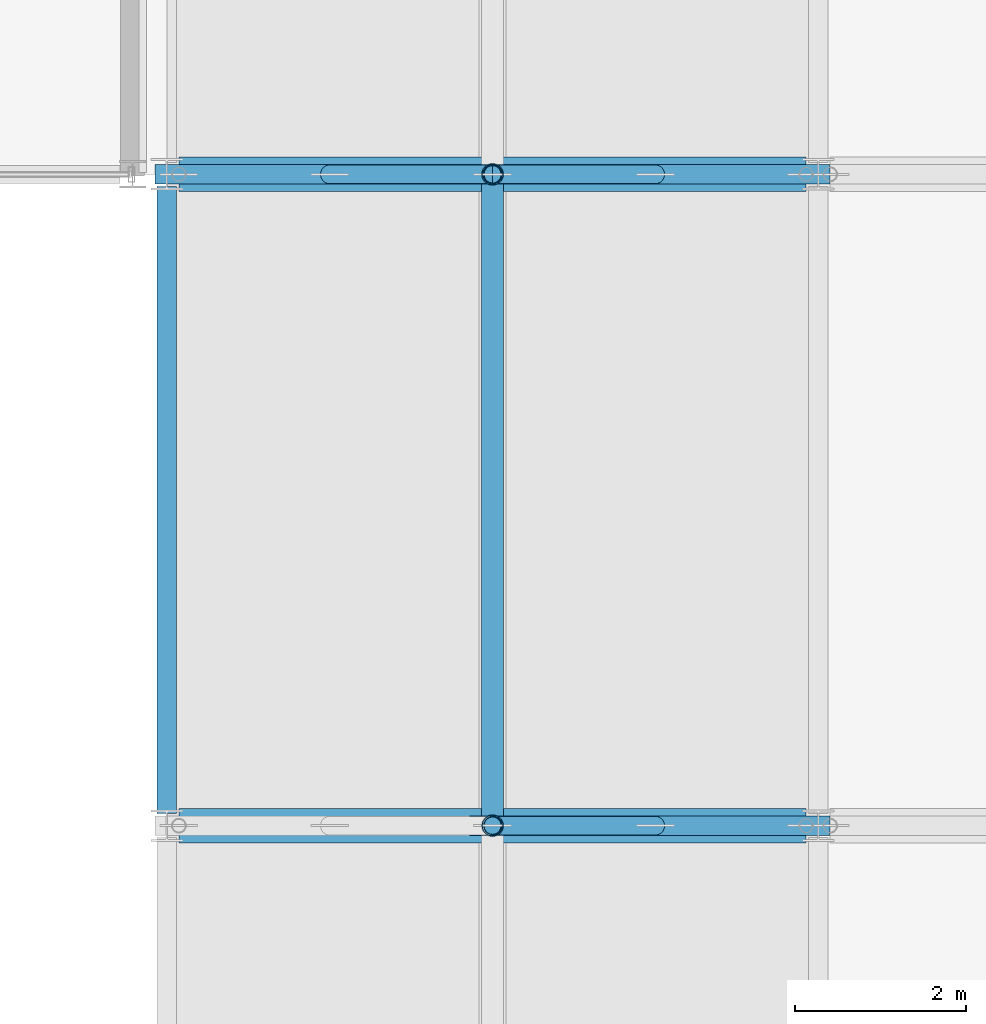
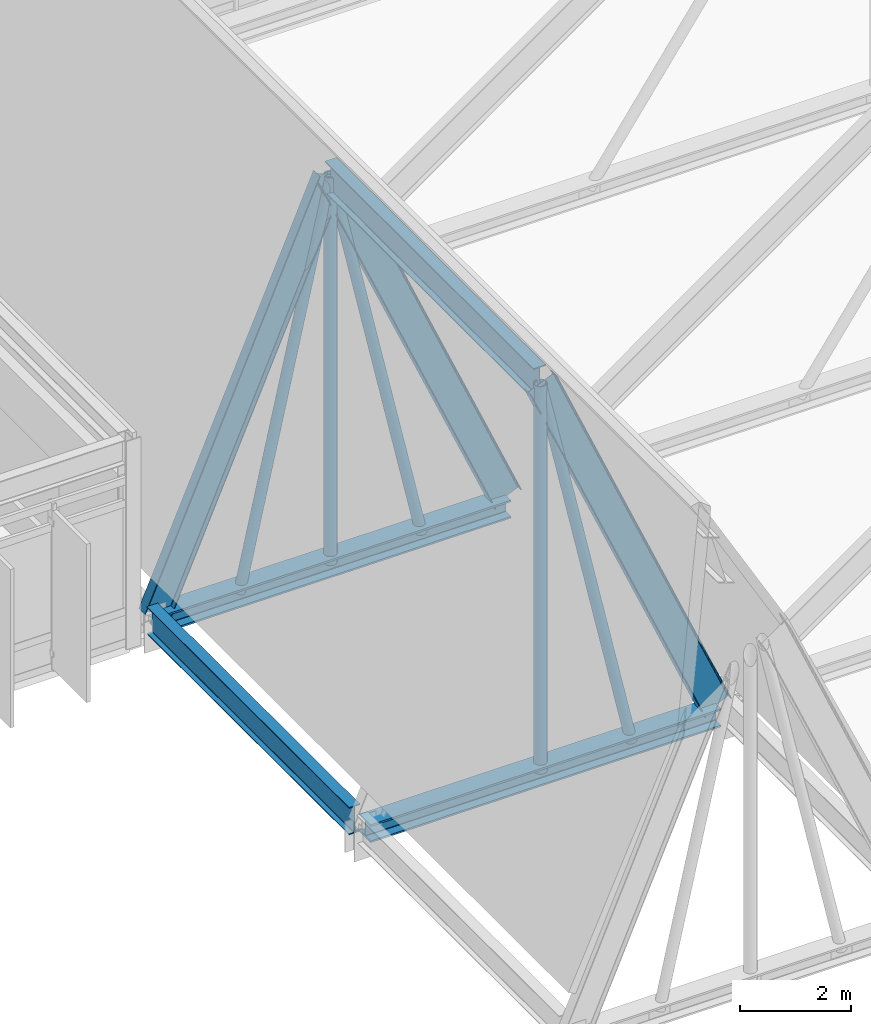
# One storey, part 45 of 100: 7 members, 5 beams.
"""IFC4 building model written with IfcOpenShell, lengths in metres."""

from ifc_helpers import new_model, si_unit, direction, frame, origin, origin_2d, place, context, subcontext, project, spatial, hollow_circle, i_section, extrude, material, material_profile, profile_set, type_object, element, save


model = new_model("IFC4")

# Units and contexts
model_context = context("Model", 3, precision=1e-05, world=origin(), true_north=direction((0.0, 1.0)))
body_context = subcontext(model_context, "Body", "Model", "MODEL_VIEW")
ifc_project = project(units=[si_unit("LENGTHUNIT", "METRE"), si_unit("AREAUNIT", "SQUARE_METRE"), si_unit("VOLUMEUNIT", "CUBIC_METRE"), si_unit("PLANEANGLEUNIT", "RADIAN"), si_unit("MASSUNIT", "GRAM", prefix="KILO")], contexts=[model_context])

# Site, building, storey
site_placement = place(None, origin())
site = spatial("IfcSite", under=ifc_project, at=site_placement, CompositionType="ELEMENT")
building_placement = place(site_placement, origin())
building = spatial("IfcBuilding", under=site, at=building_placement, Name="Zulena Civic Courthouse", CompositionType="ELEMENT")
storey_placement = place(building_placement, frame((0.0, 0.0, 20.39990234375)))
storey = spatial("IfcBuildingStorey", under=building, at=storey_placement, Name="L04", CompositionType="ELEMENT", Elevation=20.39990234375)

# Members
ifc_material_1 = material(Name="Steel ASTM A992 Grade 50", Category="steel")
ifc_material_profile_1 = material_profile(ifc_material_1, i_section(OverallWidth=0.40087890625, OverallDepth=0.39892578125, WebThickness=0.02490234375, FlangeThickness=0.03955078125, FilletRadius=0.01513671875, at=origin_2d()), Name="W14X211")
ifc_profile_set_1 = profile_set([ifc_material_profile_1], Name="Steel ASTM A992 Grade 50")
member_type_1 = type_object("IfcMemberType", Name="Chord_W14X211", PredefinedType="CHORD", material=ifc_profile_set_1)
for number, where, z_axis, x_axis, name in (
    (1, (124.5400390625, 7.60009765625, 0.325439453125), (1.0, 0.0, 0.0), (0.0, 1.0, 0.0), "mem:fold:tie:05:7.6"),
    (2, (124.5400390625, 15.199951171875, 0.325439453125), (1.0, 0.0, 0.0), (0.0, 1.0, 0.0), "mem:fold:tie:05:15.2"),
):
    element("IfcMember", number, at=place(storey_placement, frame(where, z_axis=z_axis, x_axis=x_axis)), inside=storey, type_object=member_type_1, Name=name, PredefinedType="CHORD", context=body_context, shape_type="SweptSolid", body=[
        extrude(i_section(OverallWidth=0.40087890625, OverallDepth=0.39892578125, WebThickness=0.02490234375, FlangeThickness=0.03955078125, FilletRadius=0.01513671875, at=origin_2d()), origin(), (0.0, 0.0, 1.0), 7.320068359375),
    ])

# Beams
ifc_material_profile_2 = material_profile(ifc_material_1, i_section(OverallWidth=0.22802734375, OverallDepth=0.60693359375, WebThickness=0.01123046875, FlangeThickness=0.017333984375, FilletRadius=0.0126953125, at=origin_2d()), Name="W24X76")
ifc_profile_set_2 = profile_set([ifc_material_profile_2], Name="Steel ASTM A992 Grade 50")
beam_type_1 = type_object("IfcBeamType", Name="RoofRafter_W24X76", PredefinedType="BEAM", material=ifc_profile_set_2)
for number, where, z_axis, x_axis, name in (
    (3, (128.2099609375, 7.60009765625, 8.885498046875), (0.398543829572, 0.0, -0.91714928769), (0.0, 1.0, 0.0), "beam:fold:rafE:05:7.6"),
    (4, (124.5400390625, 15.199951171875, 0.485595703125), (0.398521406617, 0.0, 0.917159031176), (0.0, 1.0, 0.0), "beam:fold:rafW:05:15.2"),
    (5, (128.2099609375, 15.199951171875, 8.885498046875), (0.398543829572, 0.0, -0.91714928769), (0.0, 1.0, 0.0), "beam:fold:rafE:05:15.2"),
):
    element("IfcBeam", number, at=place(storey_placement, frame(where, z_axis=z_axis, x_axis=x_axis)), inside=storey, type_object=beam_type_1, Name=name, PredefinedType="BEAM", context=body_context, shape_type="SweptSolid", body=[
        extrude(i_section(OverallWidth=0.22802734375, OverallDepth=0.60693359375, WebThickness=0.01123046875, FlangeThickness=0.017333984375, FilletRadius=0.0126953125, at=origin_2d()), origin(), (0.0, 0.0, 1.0), 9.15869140625),
    ])
beam_1_placement = place(storey_placement, frame((124.39990234375, 7.739990234375, 0.485595703125), z_axis=(0.0, 1.0, 0.0), x_axis=(-1.0, 0.0, 0.0)))
element("IfcBeam", 6, at=beam_1_placement, inside=storey, type_object=beam_type_1, Name="beam:fold:val:L04:124.4:7.6", PredefinedType="BEAM", context=body_context, shape_type="SweptSolid", body=[
    extrude(i_section(OverallWidth=0.22802734375, OverallDepth=0.60693359375, WebThickness=0.01123046875, FlangeThickness=0.017333984375, FilletRadius=0.0126953125, at=origin_2d()), origin(), (0.0, 0.0, 1.0), 7.320068359375),
])
ifc_material_profile_3 = material_profile(ifc_material_1, i_section(OverallWidth=0.25390625, OverallDepth=0.68798828125, WebThickness=0.01318359375, FlangeThickness=0.02099609375, FilletRadius=0.0166015625, at=origin_2d()), Name="W27X102")
ifc_profile_set_3 = profile_set([ifc_material_profile_3], Name="Steel ASTM A992 Grade 50")
beam_type_2 = type_object("IfcBeamType", Name="RoofRafter_W27X102", PredefinedType="BEAM", material=ifc_profile_set_3)
beam_2_placement = place(storey_placement, frame((128.199951171875, 7.6201171875, 8.885498046875), z_axis=(0.0, 1.0, 0.0), x_axis=(-1.0, 0.0, 0.0)))
element("IfcBeam", 7, at=beam_2_placement, inside=storey, type_object=beam_type_2, Name="beam:fold:ridge:05:7.6", PredefinedType="BEAM", context=body_context, shape_type="SweptSolid", body=[
    extrude(i_section(OverallWidth=0.25390625, OverallDepth=0.68798828125, WebThickness=0.01318359375, FlangeThickness=0.02099609375, FilletRadius=0.0166015625, at=origin_2d()), origin(), (0.0, 0.0, 1.0), 7.559814453125),
])

# Members
ifc_material_2 = material(Name="Steel ASTM A500 Grade C", Category="steel")
ifc_material_profile_4 = material_profile(ifc_material_2, hollow_circle(Radius=0.126953125, WallThickness=0.01171875, at=origin_2d()), Name="HSS10.000X0.500")
ifc_profile_set_4 = profile_set([ifc_material_profile_4], Name="Steel ASTM A500 Grade C")
member_type_2 = type_object("IfcMemberType", Name="RoofWeb_CHS10", PredefinedType="USERDEFINED", material=ifc_profile_set_4)
for number, where, z_axis, x_axis, name in (
    (8, (128.199951171875, 7.60009765625, 0.325439453125), (0.0, 0.0, 1.0), (1.0, 0.0, 0.0), "mem:fold:king:05:7.6"),
    (9, (128.199951171875, 15.199951171875, 0.325439453125), (0.0, 0.0, 1.0), (1.0, 0.0, 0.0), "mem:fold:king:05:15.2"),
):
    element("IfcMember", number, at=place(storey_placement, frame(where, z_axis=z_axis, x_axis=x_axis)), inside=storey, type_object=member_type_2, Name=name, ObjectType="ROOF TRUSS", PredefinedType="USERDEFINED", context=body_context, shape_type="SweptSolid", body=[
        extrude(hollow_circle(Radius=0.126953125, WallThickness=0.01171875, at=origin_2d()), origin(), (0.0, 0.0, 1.0), 8.56005859375),
    ])
ifc_material_profile_5 = material_profile(ifc_material_2, hollow_circle(Radius=0.109619140625, WallThickness=0.0087890625, at=origin_2d()), Name="HSS8.625X0.375")
ifc_profile_set_5 = profile_set([ifc_material_profile_5], Name="Steel ASTM A500 Grade C")
member_type_3 = type_object("IfcMemberType", Name="RoofWeb_CHS8", PredefinedType="USERDEFINED", material=ifc_profile_set_5)
for number, where, z_axis, x_axis, name in (
    (10, (130.10009765625, 7.60009765625, 0.325439453125), (-0.216703448167, 0.0, 0.976237479076), (0.0, -1.0, 0.0), "mem:fold:diagE:05:7.6"),
    (11, (126.300048828125, 15.199951171875, 0.325439453125), (0.216676912276, 0.0, 0.976243369087), (0.0, 1.0, 0.0), "mem:fold:diagW:05:15.2"),
    (12, (130.10009765625, 15.199951171875, 0.325439453125), (-0.216703448167, 0.0, 0.976237479076), (0.0, -1.0, 0.0), "mem:fold:diagE:05:15.2"),
):
    element("IfcMember", number, at=place(storey_placement, frame(where, z_axis=z_axis, x_axis=x_axis)), inside=storey, type_object=member_type_3, Name=name, ObjectType="ROOF TRUSS", PredefinedType="USERDEFINED", context=body_context, shape_type="SweptSolid", body=[
        extrude(hollow_circle(Radius=0.109619140625, WallThickness=0.0087890625, at=origin_2d()), origin(), (0.0, 0.0, 1.0), 8.768310546875),
    ])

save(model, "model.ifc")
